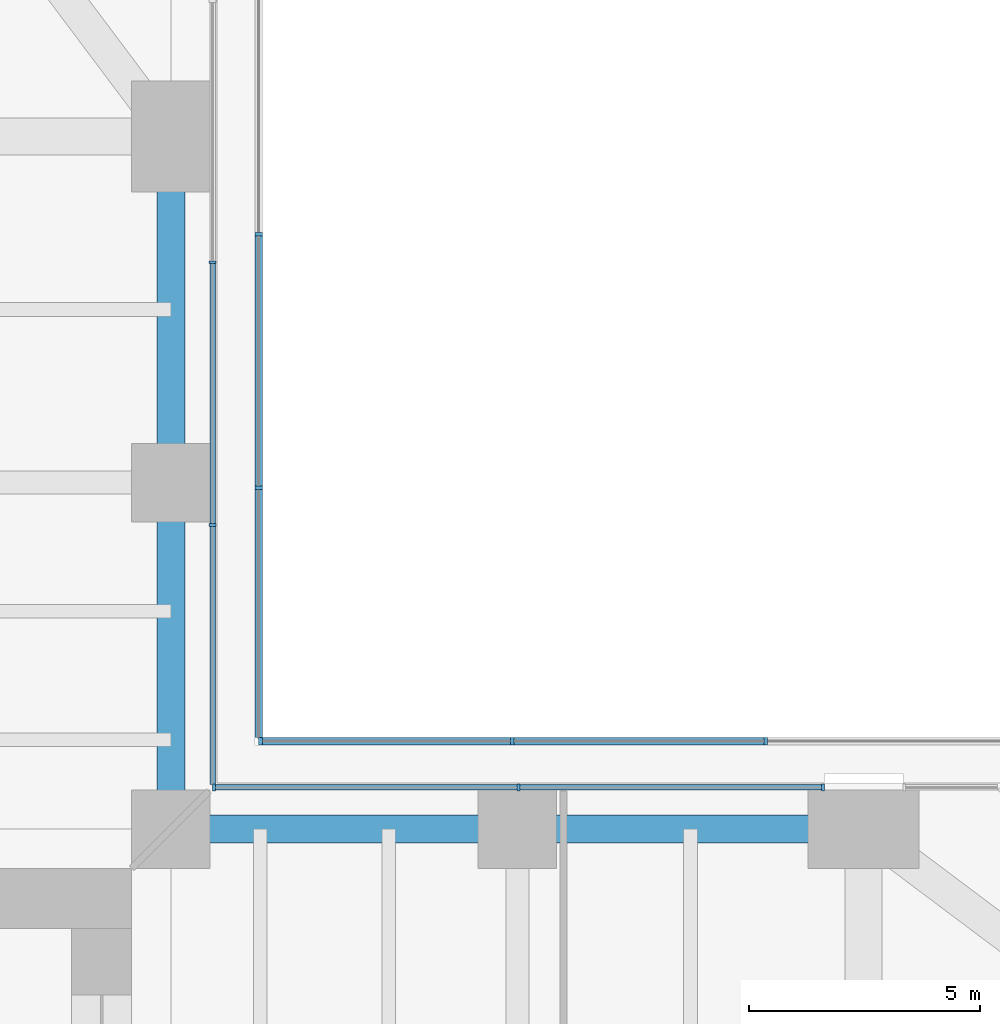
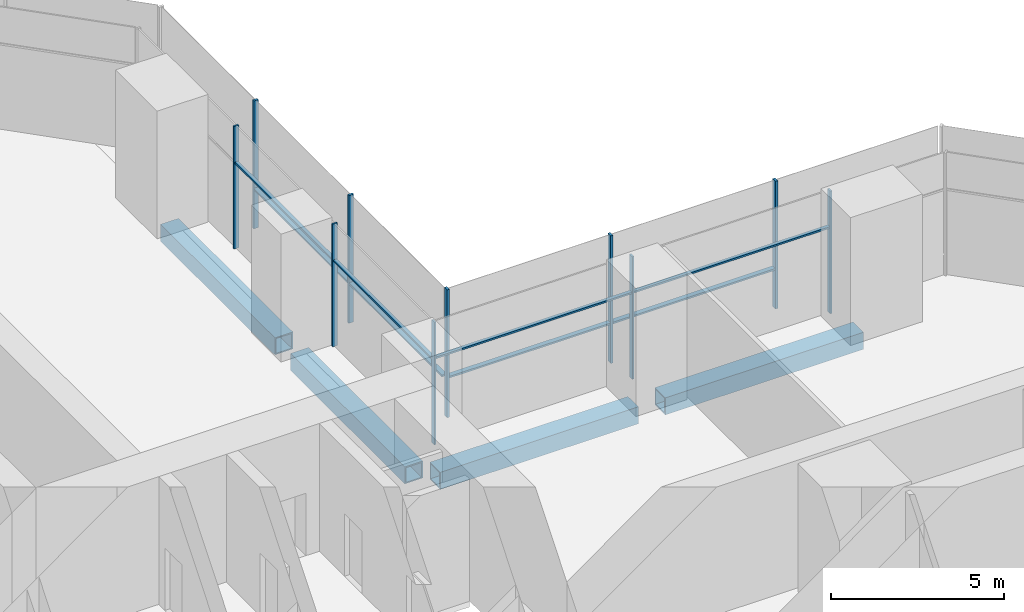
# One storey, part 10 of 27: 18 members, 4 beams, 4 elements without a shape of their own.
"""IFC4 building model written with IfcOpenShell, lengths in metres."""

import ifcopenshell
import ifcopenshell.guid

model = None  # the IFC model being written
_history = None  # IfcOwnerHistory: only IFC2X3 demands one
_inside = {}  # id of a spatial element -> (the spatial element, [elements in it])
_under = {}  # id of a project, library or spatial element -> (it, [spatial elements below it])
_declared = {}  # id of a project -> (the project, [libraries it declares])
_typed = {}  # id of a type object -> (the type object, [elements of that type])
_made_of = {}  # id of a material, layer set ... -> (it, [elements and type objects made of it])


def new_model(schema):
    """Start an empty IFC model of exactly this schema.

    Asked for "IFC4X3", IfcOpenShell would pick the latest addendum, in which some entities
    have other attributes; the version numbers below select the first issue.
    IFC2X3 requires an IfcOwnerHistory on every rooted entity: one is made here for all.
    """
    global model, _history
    if schema == "IFC4X3":
        model = ifcopenshell.file(schema_version=(4, 3, 0, 0))
    else:
        model = ifcopenshell.file(schema=schema)
    _inside.clear()
    _under.clear()
    _declared.clear()
    _typed.clear()
    _made_of.clear()
    _history = None
    if model.schema == "IFC2X3":
        org = make("IfcOrganization", Name="unknown")
        user = make(
            "IfcPersonAndOrganization",
            ThePerson=make("IfcPerson", FamilyName="unknown"),
            TheOrganization=org,
        )
        app = make(
            "IfcApplication",
            ApplicationDeveloper=org,
            Version="unknown",
            ApplicationFullName="unknown",
            ApplicationIdentifier="unknown",
        )
        _history = make(
            "IfcOwnerHistory",
            OwningUser=user,
            OwningApplication=app,
            ChangeAction="ADDED",
            CreationDate=0,
        )
    return model


def make(cls, **values):
    """One entity of the class cls with the attributes given. An attribute that is None is left unset."""
    return model.create_entity(
        cls, **{name: value for name, value in values.items() if value is not None}
    )


def rooted(cls, **values):
    """An entity with a GlobalId (a new one), such as an element, a storey or a relation."""
    return make(cls, GlobalId=ifcopenshell.guid.new(), OwnerHistory=_history, **values)


def si_unit(unit_type, name, prefix=None):
    """IfcSIUnit, for example si_unit("LENGTHUNIT", "METRE", prefix="MILLI")."""
    return make("IfcSIUnit", UnitType=unit_type, Prefix=prefix, Name=name)


def assignment(units):
    """IfcUnitAssignment: the units of a project."""
    return None if units is None else make("IfcUnitAssignment", Units=units)


def point(xyz):
    """IfcCartesianPoint."""
    return None if xyz is None else make("IfcCartesianPoint", Coordinates=xyz)


def direction(xyz):
    """IfcDirection."""
    return None if xyz is None else make("IfcDirection", DirectionRatios=xyz)


def frame(location, z_axis=None, x_axis=None):
    """IfcAxis2Placement3D, a coordinate frame: its origin and axes. An axis left out is left unset."""
    return make(
        "IfcAxis2Placement3D",
        Location=point(location),
        Axis=direction(z_axis),
        RefDirection=direction(x_axis),
    )


def frame_2d(location, x_axis=None):
    """IfcAxis2Placement2D, a coordinate frame in the plane: its origin and x axis."""
    return make(
        "IfcAxis2Placement2D", Location=point(location), RefDirection=direction(x_axis)
    )


def origin():
    """The frame at (0, 0, 0) with its axes left unset."""
    return frame((0.0, 0.0, 0.0))


def origin_2d():
    """The frame at (0, 0) in the plane with its x axis left unset."""
    return frame_2d((0.0, 0.0))


def place(relative_to, where):
    """IfcLocalPlacement: puts the frame where relative to a parent placement (None: the world)."""
    return make(
        "IfcLocalPlacement", PlacementRelTo=relative_to, RelativePlacement=where
    )


def context(
    kind, dimensions, precision=None, world=None, true_north=None, identifier=None
):
    """IfcGeometricRepresentationContext, for example the 3D "Model" context."""
    return make(
        "IfcGeometricRepresentationContext",
        ContextIdentifier=identifier,
        ContextType=kind,
        CoordinateSpaceDimension=dimensions,
        Precision=precision,
        WorldCoordinateSystem=world,
        TrueNorth=true_north,
    )


def subcontext(parent, identifier, kind, view, scale=None):
    """IfcGeometricRepresentationSubContext, for example "Body" below "Model"."""
    return make(
        "IfcGeometricRepresentationSubContext",
        ContextIdentifier=identifier,
        ContextType=kind,
        ParentContext=parent,
        TargetScale=scale,
        TargetView=view,
    )


def project(units=None, contexts=None):
    """IfcProject with its units and contexts."""
    return rooted(
        "IfcProject",
        Name="project",
        RepresentationContexts=contexts,
        UnitsInContext=assignment(units),
    )


def spatial(cls, under=None, at=None, **own):
    """A site, building, storey or space (cls), placed at a placement, below another one or the project."""
    s = rooted(cls, ObjectPlacement=at, **own)
    if under is not None:
        _under.setdefault(under.id(), (under, []))[1].append(s)
    return s


def profile(cls, at=None, kind="AREA", **sizes):
    """A parametric profile (cls). Its sizes go by their IFC names, for example OverallWidth=200.0."""
    return make(cls, ProfileType=kind, Position=at, **sizes)


def rectangle(**sizes):
    """IfcRectangleProfileDef."""
    return profile("IfcRectangleProfileDef", **sizes)


def hollow_rectangle(**sizes):
    """IfcRectangleHollowProfileDef."""
    return profile("IfcRectangleHollowProfileDef", **sizes)


def extrude(swept, where, along, depth):
    """IfcExtrudedAreaSolid: the profile swept, set in the frame where, extruded along a direction by depth."""
    return make(
        "IfcExtrudedAreaSolid",
        SweptArea=swept,
        Position=where,
        ExtrudedDirection=direction(along),
        Depth=depth,
    )


def shape(context_of_items, identifier, shape_type, items):
    """IfcShapeRepresentation: the items that make up one representation, for example the "Body"."""
    return make(
        "IfcShapeRepresentation",
        ContextOfItems=context_of_items,
        RepresentationIdentifier=identifier,
        RepresentationType=shape_type,
        Items=items,
    )


def material(Name=None, Category=None):
    """IfcMaterial."""
    return make("IfcMaterial", Name=Name, Category=Category)


def material_profile(
    of_material, cross_section, Name=None, Category=None, Priority=None
):
    """IfcMaterialProfile: a cross section and its material."""
    return make(
        "IfcMaterialProfile",
        Name=Name,
        Material=of_material,
        Profile=cross_section,
        Priority=Priority,
        Category=Category,
    )


def profile_set(profiles, Name=None, composite=None):
    """IfcMaterialProfileSet."""
    return make(
        "IfcMaterialProfileSet",
        Name=Name,
        MaterialProfiles=profiles,
        CompositeProfile=composite,
    )


def made_of(thing, what):
    """Note that an element or type object is made of a material, layer set ...; save() writes the relation."""
    if what is not None:
        _made_of.setdefault(what.id(), (what, []))[1].append(thing)
    return thing


def type_object(cls, material=None, **own):
    """A type object (cls), such as IfcWallType, which elements share."""
    return made_of(rooted(cls, **own), material)


def element(
    cls,
    number,
    at=None,
    inside=None,
    cuts=None,
    type_object=None,
    material=None,
    context=None,
    identifier="Body",
    shape_type=None,
    held_by="IfcProductDefinitionShape",
    body=None,
    shapes=None,
    **own,
):
    """One element of the class cls, such as IfcWall. Its Tag is "e" and its number.

    at: its placement. inside: the storey or other place that contains it. cuts: it is an
    opening in that element (IfcRelVoidsElement). A single representation is given by context,
    identifier, shape_type and body (its items); several are given by shapes. held_by: the class
    of the entity that holds the representations. save() writes the other relations.
    """
    e = rooted(cls, Tag="e%d" % number, ObjectPlacement=at, **own)
    if body is not None:
        shapes = [shape(context, identifier, shape_type, body)]
    if shapes is not None:
        e.Representation = make(held_by, Representations=shapes)
    if inside is not None:
        _inside.setdefault(inside.id(), (inside, []))[1].append(e)
    if cuts is not None:
        rooted(
            "IfcRelVoidsElement", RelatingBuildingElement=cuts, RelatedOpeningElement=e
        )
    if type_object is not None:
        _typed.setdefault(type_object.id(), (type_object, []))[1].append(e)
    return made_of(e, material)


def aggregate(whole, parts):
    """IfcRelAggregates: a whole, such as a stair, and the parts it consists of."""
    return rooted("IfcRelAggregates", RelatingObject=whole, RelatedObjects=parts)


def save(model, path):
    """Write the relations noted so far, then the file.

    IfcRelAggregates (storeys below a building ...), IfcRelContainedInSpatialStructure (elements
    in a storey), IfcRelDefinesByType, IfcRelAssociatesMaterial and IfcRelDeclares: one each for
    every whole, place, type object, material and project.
    """
    for whole, parts in _under.values():
        aggregate(whole, parts)
    for where, things in _inside.values():
        rooted(
            "IfcRelContainedInSpatialStructure",
            RelatedElements=things,
            RelatingStructure=where,
        )
    for kind, things in _typed.values():
        rooted("IfcRelDefinesByType", RelatedObjects=things, RelatingType=kind)
    for what, things in _made_of.values():
        rooted("IfcRelAssociatesMaterial", RelatedObjects=things, RelatingMaterial=what)
    for by, libraries in _declared.values():
        rooted("IfcRelDeclares", RelatingContext=by, RelatedDefinitions=libraries)
    model.write(path)


model = new_model("IFC4")

# Units and contexts
model_context = context("Model", 3, precision=1e-05, world=origin(), true_north=direction((0.0, 1.0)))
body_context = subcontext(model_context, "Body", "Model", "MODEL_VIEW")
ifc_project = project(units=[si_unit("LENGTHUNIT", "METRE"), si_unit("AREAUNIT", "SQUARE_METRE"), si_unit("VOLUMEUNIT", "CUBIC_METRE"), si_unit("PLANEANGLEUNIT", "RADIAN"), si_unit("MASSUNIT", "GRAM", prefix="KILO")], contexts=[model_context])

# Site, building, storey
site_placement = place(None, origin())
site = spatial("IfcSite", under=ifc_project, at=site_placement, CompositionType="ELEMENT")
building_placement = place(site_placement, origin())
building = spatial("IfcBuilding", under=site, at=building_placement, Name="Mizan Broadcast Tower", CompositionType="ELEMENT")
storey_placement = place(building_placement, frame((0.0, 0.0, 113.699951171875)))
storey = spatial("IfcBuildingStorey", under=building, at=storey_placement, Name="L25", CompositionType="ELEMENT", Elevation=113.699951171875)

# Beams
ifc_material_1 = material(Name="Steel S355", Category="steel")
ifc_material_profile_1 = material_profile(ifc_material_1, hollow_rectangle(XDim=0.60009765625, YDim=0.60009765625, WallThickness=0.0400390625, at=origin_2d()), Name="BOX 600x600x40")
ifc_profile_set_1 = profile_set([ifc_material_profile_1], Name="Steel S355")
beam_type = type_object("IfcBeamType", Name="EDGE BEAM BOX 600x600x40", PredefinedType="SPANDREL", material=ifc_profile_set_1)
for number, where, z_axis, x_axis, name in (
    (1, (12.449951171875, 12.0, -0.429931640625), (1.0, 0.0, 0.0), (0.0, 1.0, 0.0), "Edge beam BOX 600x600x40 L25 east arm"),
    (2, (19.949951171875, 12.0, -0.429931640625), (1.0, 0.0, 0.0), (0.0, 1.0, 0.0), "Edge beam BOX 600x600x40 L25 east arm"),
    (3, (12.0, 12.449951171875, -0.429931640625), (0.0, 1.0, 0.0), (-1.0, 0.0, 0.0), "Edge beam BOX 600x600x40 L25 north arm"),
    (4, (12.0, 19.949951171875, -0.429931640625), (0.0, 1.0, 0.0), (-1.0, 0.0, 0.0), "Edge beam BOX 600x600x40 L25 north arm"),
):
    element("IfcBeam", number, at=place(storey_placement, frame(where, z_axis=z_axis, x_axis=x_axis)), inside=storey, type_object=beam_type, Name=name, PredefinedType="SPANDREL", context=body_context, shape_type="SweptSolid", body=[
        extrude(hollow_rectangle(XDim=0.60009765625, YDim=0.60009765625, WallThickness=0.0400390625, at=origin_2d()), origin(), (0.0, 0.0, 1.0), 6.60009765625),
    ])

# Curtain wall, members
ifc_material_2 = material(Name="Aluminium framed glazing", Category="aluminium")
curtain_wall_type_1 = type_object("IfcCurtainWallType", Name="INNER SKIN MID ZONE", PredefinedType="USERDEFINED", material=ifc_material_2)
curtain_wall_1_placement = place(storey_placement, origin())
curtain_wall_1 = element("IfcCurtainWall", 5, at=curtain_wall_1_placement, inside=storey, type_object=curtain_wall_type_1, Name="Inner skin mid zone L25 E side", ObjectType="INNER SKIN MID ZONE", PredefinedType="USERDEFINED")
ifc_material_3 = material(Name="Aluminium, pale anodised", Category="aluminium")
ifc_material_profile_2 = material_profile(ifc_material_3, rectangle(XDim=0.159912109375, YDim=0.06005859375, at=origin_2d()), Name="MULLION 160x60")
ifc_profile_set_2 = profile_set([ifc_material_profile_2], Name="Aluminium, pale anodised")
member_type_1 = type_object("IfcMemberType", Name="INNER SKIN MULLION 60x160", PredefinedType="MULLION", material=ifc_profile_set_2)
member_1_placement = place(storey_placement, frame((26.1201171875, 12.89990234375, 0.0), z_axis=(0.0, 0.0, 1.0), x_axis=(0.0, -1.0, 0.0)))
member_1 = element("IfcMember", 6, at=member_1_placement, type_object=member_type_1, Name="Inner skin mid zone L25 E side mullion 1", PredefinedType="MULLION", context=body_context, shape_type="SweptSolid", body=[
    extrude(rectangle(XDim=0.159912109375, YDim=0.06005859375, at=origin_2d()), origin(), (0.0, 0.0, 1.0), 4.320068359375),
])
member_2_placement = place(storey_placement, frame((19.52490234375, 12.89990234375, 0.0), z_axis=(0.0, 0.0, 1.0), x_axis=(0.0, -1.0, 0.0)))
member_2 = element("IfcMember", 7, at=member_2_placement, type_object=member_type_1, Name="Inner skin mid zone L25 E side mullion 2", PredefinedType="MULLION", context=body_context, shape_type="SweptSolid", body=[
    extrude(rectangle(XDim=0.159912109375, YDim=0.06005859375, at=origin_2d()), origin(), (0.0, 0.0, 1.0), 4.320068359375),
])
member_3_placement = place(storey_placement, frame((12.929931640625, 12.89990234375, 0.0), z_axis=(0.0, 0.0, 1.0), x_axis=(0.0, -1.0, 0.0)))
member_3 = element("IfcMember", 8, at=member_3_placement, type_object=member_type_1, Name="Inner skin mid zone L25 E side mullion 3", PredefinedType="MULLION", context=body_context, shape_type="SweptSolid", body=[
    extrude(rectangle(XDim=0.159912109375, YDim=0.06005859375, at=origin_2d()), origin(), (0.0, 0.0, 1.0), 4.320068359375),
])

curtain_wall_2_placement = place(storey_placement, origin())
curtain_wall_2 = element("IfcCurtainWall", 9, at=curtain_wall_2_placement, inside=storey, type_object=curtain_wall_type_1, Name="Inner skin mid zone L25 N side", ObjectType="INNER SKIN MID ZONE", PredefinedType="USERDEFINED")
member_4_placement = place(storey_placement, frame((12.89990234375, 18.586181640625, 0.0), z_axis=(0.0, 0.0, 1.0), x_axis=(-1.0, 0.0, 0.0)))
member_4 = element("IfcMember", 10, at=member_4_placement, type_object=member_type_1, Name="Inner skin mid zone L25 N side mullion 2", PredefinedType="MULLION", context=body_context, shape_type="SweptSolid", body=[
    extrude(rectangle(XDim=0.159912109375, YDim=0.06005859375, at=origin_2d()), origin(), (0.0, 0.0, 1.0), 4.320068359375),
])
member_5_placement = place(storey_placement, frame((12.89990234375, 24.2724609375, 0.0), z_axis=(0.0, 0.0, 1.0), x_axis=(-1.0, 0.0, 0.0)))
member_5 = element("IfcMember", 11, at=member_5_placement, type_object=member_type_1, Name="Inner skin mid zone L25 N side mullion 3", PredefinedType="MULLION", context=body_context, shape_type="SweptSolid", body=[
    extrude(rectangle(XDim=0.159912109375, YDim=0.06005859375, at=origin_2d()), origin(), (0.0, 0.0, 1.0), 4.320068359375),
])

# Member
ifc_material_4 = material(Name="Aluminium, pale anodised", Category="aluminium")
ifc_material_profile_3 = material_profile(ifc_material_4, rectangle(XDim=0.1201171875, YDim=0.06005859375, at=origin_2d()), Name="TRANSOM 120x60")
ifc_profile_set_3 = profile_set([ifc_material_profile_3], Name="Aluminium, pale anodised")
member_type_2 = type_object("IfcMemberType", Name="INNER SKIN TRANSOM 60x120", PredefinedType="USERDEFINED", material=ifc_profile_set_3)
member_6_placement = place(storey_placement, frame((26.090087890625, 12.89990234375, 3.030029296875), z_axis=(-1.0, 0.0, 0.0), x_axis=(0.0, -1.0, 0.0)))
member_6 = element("IfcMember", 12, at=member_6_placement, type_object=member_type_2, Name="Inner skin mid zone L25 E side transom 1.1", ObjectType="TRANSOM", PredefinedType="USERDEFINED", context=body_context, shape_type="SweptSolid", body=[
    extrude(rectangle(XDim=0.1201171875, YDim=0.06005859375, at=origin_2d()), origin(), (0.0, 0.0, 1.0), 6.53515625),
])

member_7_placement = place(storey_placement, frame((19.4951171875, 12.89990234375, 3.030029296875), z_axis=(-1.0, 0.0, 0.0), x_axis=(0.0, -1.0, 0.0)))
member_7 = element("IfcMember", 13, at=member_7_placement, type_object=member_type_2, Name="Inner skin mid zone L25 E side transom 2.1", ObjectType="TRANSOM", PredefinedType="USERDEFINED", context=body_context, shape_type="SweptSolid", body=[
    extrude(rectangle(XDim=0.1201171875, YDim=0.06005859375, at=origin_2d()), origin(), (0.0, 0.0, 1.0), 6.53515625),
])

aggregate(curtain_wall_1, [member_1, member_2, member_3, member_6, member_7])

member_8_placement = place(storey_placement, frame((12.89990234375, 12.9599609375, 3.030029296875), z_axis=(0.0, 1.0, 0.0), x_axis=(-1.0, 0.0, 0.0)))
member_8 = element("IfcMember", 14, at=member_8_placement, type_object=member_type_2, Name="Inner skin mid zone L25 N side transom 1.1", ObjectType="TRANSOM", PredefinedType="USERDEFINED", context=body_context, shape_type="SweptSolid", body=[
    extrude(rectangle(XDim=0.1201171875, YDim=0.06005859375, at=origin_2d()), origin(), (0.0, 0.0, 1.0), 5.59619140625),
])

member_9_placement = place(storey_placement, frame((12.89990234375, 18.6162109375, 3.030029296875), z_axis=(0.0, 1.0, 0.0), x_axis=(-1.0, 0.0, 0.0)))
member_9 = element("IfcMember", 15, at=member_9_placement, type_object=member_type_2, Name="Inner skin mid zone L25 N side transom 2.1", ObjectType="TRANSOM", PredefinedType="USERDEFINED", context=body_context, shape_type="SweptSolid", body=[
    extrude(rectangle(XDim=0.1201171875, YDim=0.06005859375, at=origin_2d()), origin(), (0.0, 0.0, 1.0), 5.626220703125),
])

aggregate(curtain_wall_2, [member_4, member_5, member_8, member_9])

# Curtain wall, members
ifc_material_5 = material(Name="Aluminium framed glazing", Category="aluminium")
curtain_wall_type_2 = type_object("IfcCurtainWallType", Name="OUTER SKIN", PredefinedType="USERDEFINED", material=ifc_material_5)
curtain_wall_3_placement = place(storey_placement, origin())
curtain_wall_3 = element("IfcCurtainWall", 16, at=curtain_wall_3_placement, inside=storey, type_object=curtain_wall_type_2, Name="Outer skin L25 E side", ObjectType="OUTER SKIN", PredefinedType="USERDEFINED")
ifc_material_6 = material(Name="Aluminium, pale anodised", Category="aluminium")
ifc_material_profile_4 = material_profile(ifc_material_6, rectangle(XDim=0.159912109375, YDim=0.080078125, at=origin_2d()), Name="MULLION 160x80")
ifc_profile_set_4 = profile_set([ifc_material_profile_4], Name="Aluminium, pale anodised")
member_type_3 = type_object("IfcMemberType", Name="OUTER SKIN MULLION 80x160", PredefinedType="MULLION", material=ifc_profile_set_4)
member_10_placement = place(storey_placement, frame((24.8818359375, 13.89990234375, 0.0), z_axis=(0.0, 0.0, 1.0), x_axis=(0.0, -1.0, 0.0)))
member_10 = element("IfcMember", 17, at=member_10_placement, type_object=member_type_3, Name="Outer skin L25 E side mullion 2", PredefinedType="MULLION", context=body_context, shape_type="SweptSolid", body=[
    extrude(rectangle(XDim=0.159912109375, YDim=0.080078125, at=origin_2d()), origin(), (0.0, 0.0, 1.0), 4.5),
])
member_11_placement = place(storey_placement, frame((19.390869140625, 13.89990234375, 0.0), z_axis=(0.0, 0.0, 1.0), x_axis=(0.0, -1.0, 0.0)))
member_11 = element("IfcMember", 18, at=member_11_placement, type_object=member_type_3, Name="Outer skin L25 E side mullion 3", PredefinedType="MULLION", context=body_context, shape_type="SweptSolid", body=[
    extrude(rectangle(XDim=0.159912109375, YDim=0.080078125, at=origin_2d()), origin(), (0.0, 0.0, 1.0), 4.5),
])
member_12_placement = place(storey_placement, frame((13.93994140625, 13.89990234375, 0.0), z_axis=(0.0, 0.0, 1.0), x_axis=(0.0, -1.0, 0.0)))
member_12 = element("IfcMember", 19, at=member_12_placement, type_object=member_type_3, Name="Outer skin L25 E side mullion 4", PredefinedType="MULLION", context=body_context, shape_type="SweptSolid", body=[
    extrude(rectangle(XDim=0.159912109375, YDim=0.080078125, at=origin_2d()), origin(), (0.0, 0.0, 1.0), 4.5),
])

curtain_wall_4_placement = place(storey_placement, origin())
curtain_wall_4 = element("IfcCurtainWall", 20, at=curtain_wall_4_placement, inside=storey, type_object=curtain_wall_type_2, Name="Outer skin L25 N side", ObjectType="OUTER SKIN", PredefinedType="USERDEFINED")
member_13_placement = place(storey_placement, frame((13.89990234375, 19.390869140625, 0.0), z_axis=(0.0, 0.0, 1.0), x_axis=(-1.0, 0.0, 0.0)))
member_13 = element("IfcMember", 21, at=member_13_placement, type_object=member_type_3, Name="Outer skin L25 N side mullion 2", PredefinedType="MULLION", context=body_context, shape_type="SweptSolid", body=[
    extrude(rectangle(XDim=0.159912109375, YDim=0.080078125, at=origin_2d()), origin(), (0.0, 0.0, 1.0), 4.5),
])
member_14_placement = place(storey_placement, frame((13.89990234375, 24.8818359375, 0.0), z_axis=(0.0, 0.0, 1.0), x_axis=(-1.0, 0.0, 0.0)))
member_14 = element("IfcMember", 22, at=member_14_placement, type_object=member_type_3, Name="Outer skin L25 N side mullion 3", PredefinedType="MULLION", context=body_context, shape_type="SweptSolid", body=[
    extrude(rectangle(XDim=0.159912109375, YDim=0.080078125, at=origin_2d()), origin(), (0.0, 0.0, 1.0), 4.5),
])

# Member
ifc_material_7 = material(Name="Aluminium, pale anodised", Category="aluminium")
ifc_material_profile_5 = material_profile(ifc_material_7, rectangle(XDim=0.159912109375, YDim=0.06005859375, at=origin_2d()), Name="TRANSOM 160x60")
ifc_profile_set_5 = profile_set([ifc_material_profile_5], Name="Aluminium, pale anodised")
member_type_4 = type_object("IfcMemberType", Name="OUTER SKIN TRANSOM 60x160", PredefinedType="USERDEFINED", material=ifc_profile_set_5)
member_15_placement = place(storey_placement, frame((24.841796875, 13.89990234375, 1.400146484375), z_axis=(-1.0, 0.0, 0.0), x_axis=(0.0, -1.0, 0.0)))
member_15 = element("IfcMember", 23, at=member_15_placement, type_object=member_type_4, Name="Outer skin L25 E side transom 2.1", ObjectType="TRANSOM", PredefinedType="USERDEFINED", context=body_context, shape_type="SweptSolid", body=[
    extrude(rectangle(XDim=0.159912109375, YDim=0.06005859375, at=origin_2d()), origin(), (0.0, 0.0, 1.0), 5.410888671875),
])

member_16_placement = place(storey_placement, frame((19.350830078125, 13.89990234375, 1.400146484375), z_axis=(-1.0, 0.0, 0.0), x_axis=(0.0, -1.0, 0.0)))
member_16 = element("IfcMember", 24, at=member_16_placement, type_object=member_type_4, Name="Outer skin L25 E side transom 3.1", ObjectType="TRANSOM", PredefinedType="USERDEFINED", context=body_context, shape_type="SweptSolid", body=[
    extrude(rectangle(XDim=0.159912109375, YDim=0.06005859375, at=origin_2d()), origin(), (0.0, 0.0, 1.0), 5.370849609375),
])

aggregate(curtain_wall_3, [member_10, member_11, member_12, member_15, member_16])

member_17_placement = place(storey_placement, frame((13.89990234375, 13.97998046875, 1.400146484375), z_axis=(0.0, 1.0, 0.0), x_axis=(-1.0, 0.0, 0.0)))
member_17 = element("IfcMember", 25, at=member_17_placement, type_object=member_type_4, Name="Outer skin L25 N side transom 1.1", ObjectType="TRANSOM", PredefinedType="USERDEFINED", context=body_context, shape_type="SweptSolid", body=[
    extrude(rectangle(XDim=0.159912109375, YDim=0.06005859375, at=origin_2d()), origin(), (0.0, 0.0, 1.0), 5.370849609375),
])

member_18_placement = place(storey_placement, frame((13.89990234375, 19.430908203125, 1.400146484375), z_axis=(0.0, 1.0, 0.0), x_axis=(-1.0, 0.0, 0.0)))
member_18 = element("IfcMember", 26, at=member_18_placement, type_object=member_type_4, Name="Outer skin L25 N side transom 2.1", ObjectType="TRANSOM", PredefinedType="USERDEFINED", context=body_context, shape_type="SweptSolid", body=[
    extrude(rectangle(XDim=0.159912109375, YDim=0.06005859375, at=origin_2d()), origin(), (0.0, 0.0, 1.0), 5.410888671875),
])

aggregate(curtain_wall_4, [member_13, member_14, member_17, member_18])

save(model, "model.ifc")
